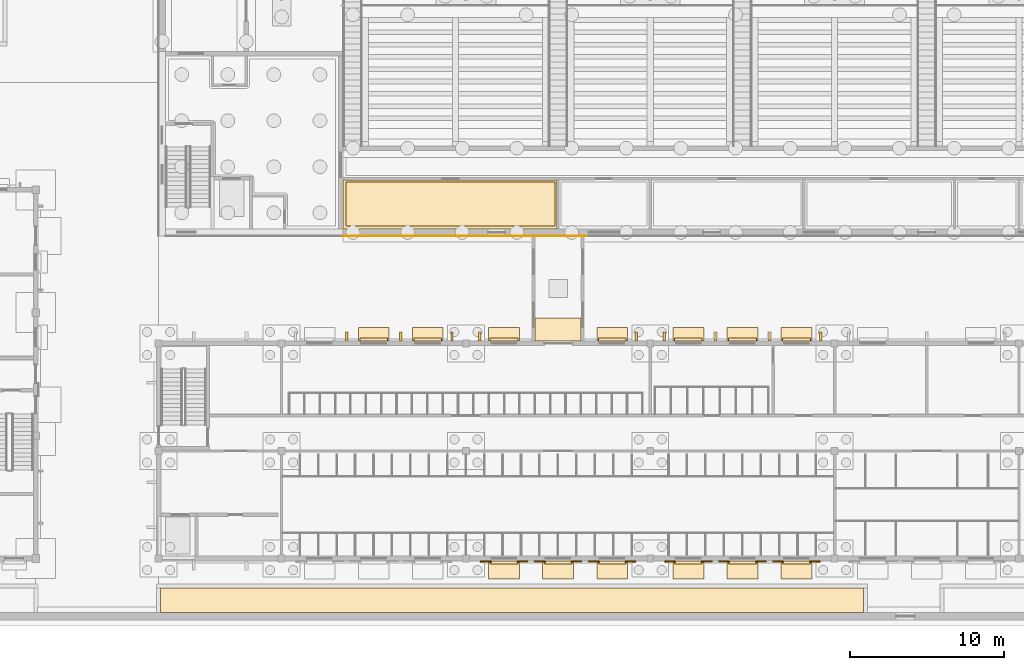
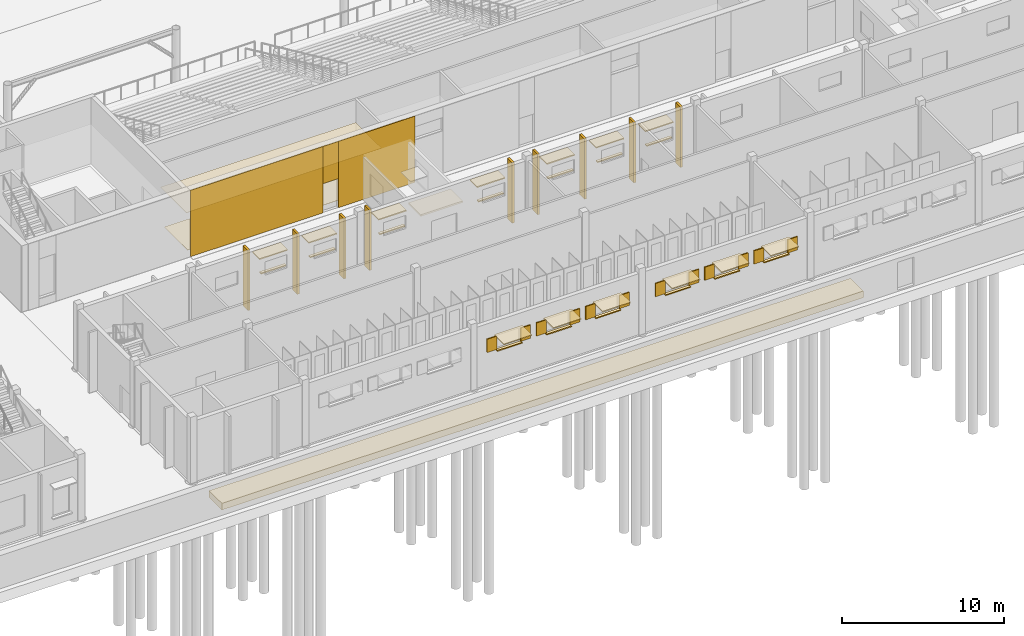
# One storey, part 129 of 157: 33 coverings, 21 shading devices.
"""IFC4 building model written with IfcOpenShell, lengths in metres."""

from ifc_helpers import new_model, si_unit, direction, frame, origin, place, context, subcontext, project, spatial, polyline, outline, extrude, material, layer, layer_set, type_object, element, save


model = new_model("IFC4")

# Units and contexts
model_context = context("Model", 3, precision=1e-05, world=origin(), true_north=direction((0.0, 1.0)))
body_context = subcontext(model_context, "Body", "Model", "MODEL_VIEW")
ifc_project = project(units=[si_unit("LENGTHUNIT", "METRE"), si_unit("AREAUNIT", "SQUARE_METRE"), si_unit("VOLUMEUNIT", "CUBIC_METRE"), si_unit("PLANEANGLEUNIT", "RADIAN"), si_unit("MASSUNIT", "GRAM", prefix="KILO")], contexts=[model_context])

# Site, building, storey
site_placement = place(None, origin())
site = spatial("IfcSite", under=ifc_project, at=site_placement, CompositionType="ELEMENT")
building_placement = place(site_placement, origin())
building = spatial("IfcBuilding", under=site, at=building_placement, Name="Windward Yard Aquatics Centre", CompositionType="ELEMENT")
storey_placement = place(building_placement, origin())
storey = spatial("IfcBuildingStorey", under=building, at=storey_placement, Name="L00", CompositionType="ELEMENT", Elevation=0.0)

# Covering
ifc_material_1 = material(Name="Aluminium standing seam canopy on steel brackets", Category="steel")
ifc_layer_1 = layer(ifc_material_1, 0.1201171875)
ifc_layer_set_1 = layer_set([ifc_layer_1], Name="C entrance canopy aluminium 3000x1500")
covering_type_1 = type_object("IfcCoveringType", Name="C entrance canopy aluminium 3000x1500", PredefinedType="CLADDING", material=ifc_layer_set_1)
covering_1_placement = place(storey_placement, frame((0.0, 0.0, 2.800048828125)))
element("IfcCovering", 1, at=covering_1_placement, inside=storey, type_object=covering_type_1, Name="Entrance canopy C0003", PredefinedType="CLADDING", context=body_context, shape_type="SweptSolid", body=[
    extrude(outline(polyline([(76.5, 19.14990234375), (79.5, 19.14990234375), (79.5, 20.64990234375), (76.5, 20.64990234375), (76.5, 19.14990234375)])), origin(), (0.0, 0.0, 1.0), 0.119873046875),
])

# Shading devices
ifc_material_2 = material(Name="Aluminium louvre blades, powder coated", Category="aluminium")
ifc_layer_2 = layer(ifc_material_2, 0.080078125)
ifc_layer_set_2 = layer_set([ifc_layer_2], Name="C storm shutter louvred 700x1000")
shading_device_type_1 = type_object("IfcShadingDeviceType", Name="C storm shutter louvred 700x1000", PredefinedType="SHUTTER", material=ifc_layer_set_2)
shading_device_1_placement = place(storey_placement, frame((0.0, 0.0, 2.5)))
element("IfcShadingDevice", 2, at=shading_device_1_placement, inside=storey, type_object=shading_device_type_1, Name="Storm shutter CW0004L", PredefinedType="SHUTTER", context=body_context, shape_type="SweptSolid", body=[
    extrude(outline(polyline([(72.933349609375, 4.77001953125), (72.933349609375, 4.85009765625), (73.63330078125, 4.85009765625), (73.63330078125, 4.77001953125), (72.933349609375, 4.77001953125)])), origin(), (0.0, 0.0, 1.0), 1.0),
])
shading_device_2_placement = place(storey_placement, frame((0.0, 0.0, 2.5)))
element("IfcShadingDevice", 3, at=shading_device_2_placement, inside=storey, type_object=shading_device_type_1, Name="Storm shutter CW0004R", PredefinedType="SHUTTER", context=body_context, shape_type="SweptSolid", body=[
    extrude(outline(polyline([(75.333251953125, 4.77001953125), (75.333251953125, 4.85009765625), (76.033203125, 4.85009765625), (76.033203125, 4.77001953125), (75.333251953125, 4.77001953125)])), origin(), (0.0, 0.0, 1.0), 1.0),
])
shading_device_3_placement = place(storey_placement, frame((0.0, 0.0, 2.5)))
element("IfcShadingDevice", 4, at=shading_device_3_placement, inside=storey, type_object=shading_device_type_1, Name="Storm shutter CW0005L", PredefinedType="SHUTTER", context=body_context, shape_type="SweptSolid", body=[
    extrude(outline(polyline([(76.449951171875, 4.77001953125), (76.449951171875, 4.85009765625), (77.14990234375, 4.85009765625), (77.14990234375, 4.77001953125), (76.449951171875, 4.77001953125)])), origin(), (0.0, 0.0, 1.0), 1.0),
])
shading_device_4_placement = place(storey_placement, frame((0.0, 0.0, 2.5)))
element("IfcShadingDevice", 5, at=shading_device_4_placement, inside=storey, type_object=shading_device_type_1, Name="Storm shutter CW0005R", PredefinedType="SHUTTER", context=body_context, shape_type="SweptSolid", body=[
    extrude(outline(polyline([(78.85009765625, 4.77001953125), (78.85009765625, 4.85009765625), (79.550048828125, 4.85009765625), (79.550048828125, 4.77001953125), (78.85009765625, 4.77001953125)])), origin(), (0.0, 0.0, 1.0), 1.0),
])
shading_device_5_placement = place(storey_placement, frame((0.0, 0.0, 2.5)))
element("IfcShadingDevice", 6, at=shading_device_5_placement, inside=storey, type_object=shading_device_type_1, Name="Storm shutter CW0006L", PredefinedType="SHUTTER", context=body_context, shape_type="SweptSolid", body=[
    extrude(outline(polyline([(79.966796875, 4.77001953125), (79.966796875, 4.85009765625), (80.666748046875, 4.85009765625), (80.666748046875, 4.77001953125), (79.966796875, 4.77001953125)])), origin(), (0.0, 0.0, 1.0), 1.0),
])
shading_device_6_placement = place(storey_placement, frame((0.0, 0.0, 2.5)))
element("IfcShadingDevice", 7, at=shading_device_6_placement, inside=storey, type_object=shading_device_type_1, Name="Storm shutter CW0006R", PredefinedType="SHUTTER", context=body_context, shape_type="SweptSolid", body=[
    extrude(outline(polyline([(82.36669921875, 4.77001953125), (82.36669921875, 4.85009765625), (83.066650390625, 4.85009765625), (83.066650390625, 4.77001953125), (82.36669921875, 4.77001953125)])), origin(), (0.0, 0.0, 1.0), 1.0),
])
shading_device_7_placement = place(storey_placement, frame((0.0, 0.0, 2.5)))
element("IfcShadingDevice", 8, at=shading_device_7_placement, inside=storey, type_object=shading_device_type_1, Name="Storm shutter CW0007L", PredefinedType="SHUTTER", context=body_context, shape_type="SweptSolid", body=[
    extrude(outline(polyline([(84.933349609375, 4.77001953125), (84.933349609375, 4.85009765625), (85.63330078125, 4.85009765625), (85.63330078125, 4.77001953125), (84.933349609375, 4.77001953125)])), origin(), (0.0, 0.0, 1.0), 1.0),
])
shading_device_8_placement = place(storey_placement, frame((0.0, 0.0, 2.5)))
element("IfcShadingDevice", 9, at=shading_device_8_placement, inside=storey, type_object=shading_device_type_1, Name="Storm shutter CW0007R", PredefinedType="SHUTTER", context=body_context, shape_type="SweptSolid", body=[
    extrude(outline(polyline([(87.333251953125, 4.77001953125), (87.333251953125, 4.85009765625), (88.033203125, 4.85009765625), (88.033203125, 4.77001953125), (87.333251953125, 4.77001953125)])), origin(), (0.0, 0.0, 1.0), 1.0),
])
shading_device_9_placement = place(storey_placement, frame((0.0, 0.0, 2.5)))
element("IfcShadingDevice", 10, at=shading_device_9_placement, inside=storey, type_object=shading_device_type_1, Name="Storm shutter CW0008L", PredefinedType="SHUTTER", context=body_context, shape_type="SweptSolid", body=[
    extrude(outline(polyline([(88.449951171875, 4.77001953125), (88.449951171875, 4.85009765625), (89.14990234375, 4.85009765625), (89.14990234375, 4.77001953125), (88.449951171875, 4.77001953125)])), origin(), (0.0, 0.0, 1.0), 1.0),
])
shading_device_10_placement = place(storey_placement, frame((0.0, 0.0, 2.5)))
element("IfcShadingDevice", 11, at=shading_device_10_placement, inside=storey, type_object=shading_device_type_1, Name="Storm shutter CW0008R", PredefinedType="SHUTTER", context=body_context, shape_type="SweptSolid", body=[
    extrude(outline(polyline([(90.85009765625, 4.77001953125), (90.85009765625, 4.85009765625), (91.550048828125, 4.85009765625), (91.550048828125, 4.77001953125), (90.85009765625, 4.77001953125)])), origin(), (0.0, 0.0, 1.0), 1.0),
])
shading_device_11_placement = place(storey_placement, frame((0.0, 0.0, 2.5)))
element("IfcShadingDevice", 12, at=shading_device_11_placement, inside=storey, type_object=shading_device_type_1, Name="Storm shutter CW0009L", PredefinedType="SHUTTER", context=body_context, shape_type="SweptSolid", body=[
    extrude(outline(polyline([(91.966796875, 4.77001953125), (91.966796875, 4.85009765625), (92.666748046875, 4.85009765625), (92.666748046875, 4.77001953125), (91.966796875, 4.77001953125)])), origin(), (0.0, 0.0, 1.0), 1.0),
])
shading_device_12_placement = place(storey_placement, frame((0.0, 0.0, 2.5)))
element("IfcShadingDevice", 13, at=shading_device_12_placement, inside=storey, type_object=shading_device_type_1, Name="Storm shutter CW0009R", PredefinedType="SHUTTER", context=body_context, shape_type="SweptSolid", body=[
    extrude(outline(polyline([(94.36669921875, 4.77001953125), (94.36669921875, 4.85009765625), (95.066650390625, 4.85009765625), (95.066650390625, 4.77001953125), (94.36669921875, 4.77001953125)])), origin(), (0.0, 0.0, 1.0), 1.0),
])
ifc_material_3 = material(Name="Aluminium fin, powder coated", Category="aluminium")
shading_device_type_2 = type_object("IfcShadingDeviceType", Name="C vertical fin 150x600", PredefinedType="USERDEFINED", material=ifc_material_3)
shading_device_13_placement = place(storey_placement, origin())
element("IfcShadingDevice", 14, at=shading_device_13_placement, inside=storey, type_object=shading_device_type_2, Name="Vertical fin C.W.L00.N2.2.1", ObjectType="FIN", PredefinedType="USERDEFINED", context=body_context, shape_type="SweptSolid", body=[
    extrude(outline(polyline([(64.166748046875, 19.14990234375), (64.316650390625, 19.14990234375), (64.316650390625, 19.75), (64.166748046875, 19.75), (64.166748046875, 19.14990234375)])), origin(), (0.0, 0.0, 1.0), 4.550048828125),
])
shading_device_14_placement = place(storey_placement, origin())
element("IfcShadingDevice", 15, at=shading_device_14_placement, inside=storey, type_object=shading_device_type_2, Name="Vertical fin C.W.L00.N2.3.1", ObjectType="FIN", PredefinedType="USERDEFINED", context=body_context, shape_type="SweptSolid", body=[
    extrude(outline(polyline([(67.683349609375, 19.14990234375), (67.833251953125, 19.14990234375), (67.833251953125, 19.75), (67.683349609375, 19.75), (67.683349609375, 19.14990234375)])), origin(), (0.0, 0.0, 1.0), 4.550048828125),
])
shading_device_15_placement = place(storey_placement, origin())
element("IfcShadingDevice", 16, at=shading_device_15_placement, inside=storey, type_object=shading_device_type_2, Name="Vertical fin C.W.L00.N2.4.1", ObjectType="FIN", PredefinedType="USERDEFINED", context=body_context, shape_type="SweptSolid", body=[
    extrude(outline(polyline([(71.020751953125, 19.14990234375), (71.1708984375, 19.14990234375), (71.1708984375, 19.75), (71.020751953125, 19.75), (71.020751953125, 19.14990234375)])), origin(), (0.0, 0.0, 1.0), 4.550048828125),
])
shading_device_16_placement = place(storey_placement, origin())
element("IfcShadingDevice", 17, at=shading_device_16_placement, inside=storey, type_object=shading_device_type_2, Name="Vertical fin C.W.L00.N3.1.1", ObjectType="FIN", PredefinedType="USERDEFINED", context=body_context, shape_type="SweptSolid", body=[
    extrude(outline(polyline([(72.8291015625, 19.14990234375), (72.97900390625, 19.14990234375), (72.97900390625, 19.75), (72.8291015625, 19.75), (72.8291015625, 19.14990234375)])), origin(), (0.0, 0.0, 1.0), 4.550048828125),
])
shading_device_17_placement = place(storey_placement, origin())
element("IfcShadingDevice", 18, at=shading_device_17_placement, inside=storey, type_object=shading_device_type_2, Name="Vertical fin C.W.L00.N3.2.1", ObjectType="FIN", PredefinedType="USERDEFINED", context=body_context, shape_type="SweptSolid", body=[
    extrude(outline(polyline([(83.020751953125, 19.14990234375), (83.1708984375, 19.14990234375), (83.1708984375, 19.75), (83.020751953125, 19.75), (83.020751953125, 19.14990234375)])), origin(), (0.0, 0.0, 1.0), 4.550048828125),
])
shading_device_18_placement = place(storey_placement, origin())
element("IfcShadingDevice", 19, at=shading_device_18_placement, inside=storey, type_object=shading_device_type_2, Name="Vertical fin C.W.L00.N4.1.1", ObjectType="FIN", PredefinedType="USERDEFINED", context=body_context, shape_type="SweptSolid", body=[
    extrude(outline(polyline([(84.8291015625, 19.14990234375), (84.97900390625, 19.14990234375), (84.97900390625, 19.75), (84.8291015625, 19.75), (84.8291015625, 19.14990234375)])), origin(), (0.0, 0.0, 1.0), 4.550048828125),
])
shading_device_19_placement = place(storey_placement, origin())
element("IfcShadingDevice", 20, at=shading_device_19_placement, inside=storey, type_object=shading_device_type_2, Name="Vertical fin C.W.L00.N4.2.1", ObjectType="FIN", PredefinedType="USERDEFINED", context=body_context, shape_type="SweptSolid", body=[
    extrude(outline(polyline([(88.16650390625, 19.14990234375), (88.316650390625, 19.14990234375), (88.316650390625, 19.75), (88.16650390625, 19.75), (88.16650390625, 19.14990234375)])), origin(), (0.0, 0.0, 1.0), 4.550048828125),
])
shading_device_20_placement = place(storey_placement, origin())
element("IfcShadingDevice", 21, at=shading_device_20_placement, inside=storey, type_object=shading_device_type_2, Name="Vertical fin C.W.L00.N4.3.1", ObjectType="FIN", PredefinedType="USERDEFINED", context=body_context, shape_type="SweptSolid", body=[
    extrude(outline(polyline([(91.683349609375, 19.14990234375), (91.833251953125, 19.14990234375), (91.833251953125, 19.75), (91.683349609375, 19.75), (91.683349609375, 19.14990234375)])), origin(), (0.0, 0.0, 1.0), 4.550048828125),
])
shading_device_21_placement = place(storey_placement, origin())
element("IfcShadingDevice", 22, at=shading_device_21_placement, inside=storey, type_object=shading_device_type_2, Name="Vertical fin C.W.L00.N4.4.1", ObjectType="FIN", PredefinedType="USERDEFINED", context=body_context, shape_type="SweptSolid", body=[
    extrude(outline(polyline([(95.020751953125, 19.14990234375), (95.1708984375, 19.14990234375), (95.1708984375, 19.75), (95.020751953125, 19.75), (95.020751953125, 19.14990234375)])), origin(), (0.0, 0.0, 1.0), 4.550048828125),
])

# Coverings
ifc_material_4 = material(Name="Aluminium composite hood, powder coated", Category="aluminium")
ifc_layer_3 = layer(ifc_material_4, 0.080078125)
ifc_layer_set_3 = layer_set([ifc_layer_3], Name="C window hood aluminium 2000x1200")
covering_type_2 = type_object("IfcCoveringType", Name="C window hood aluminium 2000x1200", PredefinedType="CLADDING", material=ifc_layer_set_3)
covering_2_placement = place(storey_placement, frame((0.0, 0.0, 3.550048828125)))
element("IfcCovering", 23, at=covering_2_placement, inside=storey, type_object=covering_type_2, Name="Window hood CW0004", PredefinedType="CLADDING", context=body_context, shape_type="SweptSolid", body=[
    extrude(outline(polyline([(73.4833984375, 3.64990234375), (73.4833984375, 4.85009765625), (75.4833984375, 4.85009765625), (75.4833984375, 3.64990234375), (73.4833984375, 3.64990234375)])), origin(), (0.0, 0.0, 1.0), 0.079833984375),
])
covering_3_placement = place(storey_placement, frame((0.0, 0.0, 3.550048828125)))
element("IfcCovering", 24, at=covering_3_placement, inside=storey, type_object=covering_type_2, Name="Window hood CW0005", PredefinedType="CLADDING", context=body_context, shape_type="SweptSolid", body=[
    extrude(outline(polyline([(77.0, 3.64990234375), (77.0, 4.85009765625), (79.0, 4.85009765625), (79.0, 3.64990234375), (77.0, 3.64990234375)])), origin(), (0.0, 0.0, 1.0), 0.079833984375),
])
covering_4_placement = place(storey_placement, frame((0.0, 0.0, 3.550048828125)))
element("IfcCovering", 25, at=covering_4_placement, inside=storey, type_object=covering_type_2, Name="Window hood CW0006", PredefinedType="CLADDING", context=body_context, shape_type="SweptSolid", body=[
    extrude(outline(polyline([(80.5166015625, 3.64990234375), (80.5166015625, 4.85009765625), (82.5166015625, 4.85009765625), (82.5166015625, 3.64990234375), (80.5166015625, 3.64990234375)])), origin(), (0.0, 0.0, 1.0), 0.079833984375),
])
covering_5_placement = place(storey_placement, frame((0.0, 0.0, 3.550048828125)))
element("IfcCovering", 26, at=covering_5_placement, inside=storey, type_object=covering_type_2, Name="Window hood CW0007", PredefinedType="CLADDING", context=body_context, shape_type="SweptSolid", body=[
    extrude(outline(polyline([(85.4833984375, 3.64990234375), (85.4833984375, 4.85009765625), (87.4833984375, 4.85009765625), (87.4833984375, 3.64990234375), (85.4833984375, 3.64990234375)])), origin(), (0.0, 0.0, 1.0), 0.079833984375),
])
covering_6_placement = place(storey_placement, frame((0.0, 0.0, 3.550048828125)))
element("IfcCovering", 27, at=covering_6_placement, inside=storey, type_object=covering_type_2, Name="Window hood CW0008", PredefinedType="CLADDING", context=body_context, shape_type="SweptSolid", body=[
    extrude(outline(polyline([(89.0, 3.64990234375), (89.0, 4.85009765625), (91.0, 4.85009765625), (91.0, 3.64990234375), (89.0, 3.64990234375)])), origin(), (0.0, 0.0, 1.0), 0.079833984375),
])
covering_7_placement = place(storey_placement, frame((0.0, 0.0, 3.550048828125)))
element("IfcCovering", 28, at=covering_7_placement, inside=storey, type_object=covering_type_2, Name="Window hood CW0009", PredefinedType="CLADDING", context=body_context, shape_type="SweptSolid", body=[
    extrude(outline(polyline([(92.5166015625, 3.64990234375), (92.5166015625, 4.85009765625), (94.5166015625, 4.85009765625), (94.5166015625, 3.64990234375), (92.5166015625, 3.64990234375)])), origin(), (0.0, 0.0, 1.0), 0.079833984375),
])
ifc_layer_4 = layer(ifc_material_4, 0.080078125)
ifc_layer_set_4 = layer_set([ifc_layer_4], Name="C window hood aluminium 2000x900")
covering_type_3 = type_object("IfcCoveringType", Name="C window hood aluminium 2000x900", PredefinedType="CLADDING", material=ifc_layer_set_4)
covering_8_placement = place(storey_placement, frame((0.0, 0.0, 3.550048828125)))
element("IfcCovering", 29, at=covering_8_placement, inside=storey, type_object=covering_type_3, Name="Window hood CW0022", PredefinedType="CLADDING", context=body_context, shape_type="SweptSolid", body=[
    extrude(outline(polyline([(65.0, 19.14990234375), (67.0, 19.14990234375), (67.0, 20.050048828125), (65.0, 20.050048828125), (65.0, 19.14990234375)])), origin(), (0.0, 0.0, 1.0), 0.079833984375),
])
covering_9_placement = place(storey_placement, frame((0.0, 0.0, 3.550048828125)))
element("IfcCovering", 30, at=covering_9_placement, inside=storey, type_object=covering_type_3, Name="Window hood CW0023", PredefinedType="CLADDING", context=body_context, shape_type="SweptSolid", body=[
    extrude(outline(polyline([(68.5166015625, 19.14990234375), (70.5166015625, 19.14990234375), (70.5166015625, 20.050048828125), (68.5166015625, 20.050048828125), (68.5166015625, 19.14990234375)])), origin(), (0.0, 0.0, 1.0), 0.079833984375),
])
covering_10_placement = place(storey_placement, frame((0.0, 0.0, 3.550048828125)))
element("IfcCovering", 31, at=covering_10_placement, inside=storey, type_object=covering_type_3, Name="Window hood CW0024", PredefinedType="CLADDING", context=body_context, shape_type="SweptSolid", body=[
    extrude(outline(polyline([(73.4833984375, 19.14990234375), (75.4833984375, 19.14990234375), (75.4833984375, 20.050048828125), (73.4833984375, 20.050048828125), (73.4833984375, 19.14990234375)])), origin(), (0.0, 0.0, 1.0), 0.079833984375),
])
covering_11_placement = place(storey_placement, frame((0.0, 0.0, 3.550048828125)))
element("IfcCovering", 32, at=covering_11_placement, inside=storey, type_object=covering_type_3, Name="Window hood CW0025", PredefinedType="CLADDING", context=body_context, shape_type="SweptSolid", body=[
    extrude(outline(polyline([(80.5166015625, 19.14990234375), (82.5166015625, 19.14990234375), (82.5166015625, 20.050048828125), (80.5166015625, 20.050048828125), (80.5166015625, 19.14990234375)])), origin(), (0.0, 0.0, 1.0), 0.079833984375),
])
covering_12_placement = place(storey_placement, frame((0.0, 0.0, 3.550048828125)))
element("IfcCovering", 33, at=covering_12_placement, inside=storey, type_object=covering_type_3, Name="Window hood CW0026", PredefinedType="CLADDING", context=body_context, shape_type="SweptSolid", body=[
    extrude(outline(polyline([(85.4833984375, 19.14990234375), (87.4833984375, 19.14990234375), (87.4833984375, 20.050048828125), (85.4833984375, 20.050048828125), (85.4833984375, 19.14990234375)])), origin(), (0.0, 0.0, 1.0), 0.079833984375),
])
covering_13_placement = place(storey_placement, frame((0.0, 0.0, 3.550048828125)))
element("IfcCovering", 34, at=covering_13_placement, inside=storey, type_object=covering_type_3, Name="Window hood CW0027", PredefinedType="CLADDING", context=body_context, shape_type="SweptSolid", body=[
    extrude(outline(polyline([(89.0, 19.14990234375), (91.0, 19.14990234375), (91.0, 20.050048828125), (89.0, 20.050048828125), (89.0, 19.14990234375)])), origin(), (0.0, 0.0, 1.0), 0.079833984375),
])
covering_14_placement = place(storey_placement, frame((0.0, 0.0, 3.550048828125)))
element("IfcCovering", 35, at=covering_14_placement, inside=storey, type_object=covering_type_3, Name="Window hood CW0028", PredefinedType="CLADDING", context=body_context, shape_type="SweptSolid", body=[
    extrude(outline(polyline([(92.5166015625, 19.14990234375), (94.5166015625, 19.14990234375), (94.5166015625, 20.050048828125), (92.5166015625, 20.050048828125), (92.5166015625, 19.14990234375)])), origin(), (0.0, 0.0, 1.0), 0.079833984375),
])
ifc_material_5 = material(Name="Limestone sill", Category="masonry")
ifc_layer_5 = layer(ifc_material_5, 0.080078125)
ifc_layer_set_5 = layer_set([ifc_layer_5], Name="C window sill stone 1800x200")
covering_type_4 = type_object("IfcCoveringType", Name="C window sill stone 1800x200", PredefinedType="CLADDING", material=ifc_layer_set_5)
covering_15_placement = place(storey_placement, frame((0.0, 0.0, 2.419921875)))
element("IfcCovering", 36, at=covering_15_placement, inside=storey, type_object=covering_type_4, Name="Window sill CW0022", PredefinedType="CLADDING", context=body_context, shape_type="SweptSolid", body=[
    extrude(outline(polyline([(65.10009765625, 19.14990234375), (66.89990234375, 19.14990234375), (66.89990234375, 19.35009765625), (65.10009765625, 19.35009765625), (65.10009765625, 19.14990234375)])), origin(), (0.0, 0.0, 1.0), 0.080078125),
])
covering_16_placement = place(storey_placement, frame((0.0, 0.0, 2.419921875)))
element("IfcCovering", 37, at=covering_16_placement, inside=storey, type_object=covering_type_4, Name="Window sill CW0023", PredefinedType="CLADDING", context=body_context, shape_type="SweptSolid", body=[
    extrude(outline(polyline([(68.61669921875, 19.14990234375), (70.416748046875, 19.14990234375), (70.416748046875, 19.35009765625), (68.61669921875, 19.35009765625), (68.61669921875, 19.14990234375)])), origin(), (0.0, 0.0, 1.0), 0.080078125),
])
covering_17_placement = place(storey_placement, frame((0.0, 0.0, 2.419921875)))
element("IfcCovering", 38, at=covering_17_placement, inside=storey, type_object=covering_type_4, Name="Window sill CW0024", PredefinedType="CLADDING", context=body_context, shape_type="SweptSolid", body=[
    extrude(outline(polyline([(73.583251953125, 19.14990234375), (75.38330078125, 19.14990234375), (75.38330078125, 19.35009765625), (73.583251953125, 19.35009765625), (73.583251953125, 19.14990234375)])), origin(), (0.0, 0.0, 1.0), 0.080078125),
])
covering_18_placement = place(storey_placement, frame((0.0, 0.0, 2.419921875)))
element("IfcCovering", 39, at=covering_18_placement, inside=storey, type_object=covering_type_4, Name="Window sill CW0025", PredefinedType="CLADDING", context=body_context, shape_type="SweptSolid", body=[
    extrude(outline(polyline([(80.61669921875, 19.14990234375), (82.416748046875, 19.14990234375), (82.416748046875, 19.35009765625), (80.61669921875, 19.35009765625), (80.61669921875, 19.14990234375)])), origin(), (0.0, 0.0, 1.0), 0.080078125),
])
covering_19_placement = place(storey_placement, frame((0.0, 0.0, 2.419921875)))
element("IfcCovering", 40, at=covering_19_placement, inside=storey, type_object=covering_type_4, Name="Window sill CW0026", PredefinedType="CLADDING", context=body_context, shape_type="SweptSolid", body=[
    extrude(outline(polyline([(85.583251953125, 19.14990234375), (87.38330078125, 19.14990234375), (87.38330078125, 19.35009765625), (85.583251953125, 19.35009765625), (85.583251953125, 19.14990234375)])), origin(), (0.0, 0.0, 1.0), 0.080078125),
])
covering_20_placement = place(storey_placement, frame((0.0, 0.0, 2.419921875)))
element("IfcCovering", 41, at=covering_20_placement, inside=storey, type_object=covering_type_4, Name="Window sill CW0027", PredefinedType="CLADDING", context=body_context, shape_type="SweptSolid", body=[
    extrude(outline(polyline([(89.10009765625, 19.14990234375), (90.89990234375, 19.14990234375), (90.89990234375, 19.35009765625), (89.10009765625, 19.35009765625), (89.10009765625, 19.14990234375)])), origin(), (0.0, 0.0, 1.0), 0.080078125),
])
covering_21_placement = place(storey_placement, frame((0.0, 0.0, 2.419921875)))
element("IfcCovering", 42, at=covering_21_placement, inside=storey, type_object=covering_type_4, Name="Window sill CW0028", PredefinedType="CLADDING", context=body_context, shape_type="SweptSolid", body=[
    extrude(outline(polyline([(92.61669921875, 19.14990234375), (94.416748046875, 19.14990234375), (94.416748046875, 19.35009765625), (92.61669921875, 19.35009765625), (92.61669921875, 19.14990234375)])), origin(), (0.0, 0.0, 1.0), 0.080078125),
])
covering_22_placement = place(storey_placement, frame((0.0, 0.0, 2.419921875)))
element("IfcCovering", 43, at=covering_22_placement, inside=storey, type_object=covering_type_4, Name="Window sill CW0004", PredefinedType="CLADDING", context=body_context, shape_type="SweptSolid", body=[
    extrude(outline(polyline([(73.583251953125, 4.64990234375), (73.583251953125, 4.85009765625), (75.38330078125, 4.85009765625), (75.38330078125, 4.64990234375), (73.583251953125, 4.64990234375)])), origin(), (0.0, 0.0, 1.0), 0.080078125),
])
covering_23_placement = place(storey_placement, frame((0.0, 0.0, 2.419921875)))
element("IfcCovering", 44, at=covering_23_placement, inside=storey, type_object=covering_type_4, Name="Window sill CW0005", PredefinedType="CLADDING", context=body_context, shape_type="SweptSolid", body=[
    extrude(outline(polyline([(77.10009765625, 4.64990234375), (77.10009765625, 4.85009765625), (78.89990234375, 4.85009765625), (78.89990234375, 4.64990234375), (77.10009765625, 4.64990234375)])), origin(), (0.0, 0.0, 1.0), 0.080078125),
])
covering_24_placement = place(storey_placement, frame((0.0, 0.0, 2.419921875)))
element("IfcCovering", 45, at=covering_24_placement, inside=storey, type_object=covering_type_4, Name="Window sill CW0006", PredefinedType="CLADDING", context=body_context, shape_type="SweptSolid", body=[
    extrude(outline(polyline([(80.61669921875, 4.64990234375), (80.61669921875, 4.85009765625), (82.416748046875, 4.85009765625), (82.416748046875, 4.64990234375), (80.61669921875, 4.64990234375)])), origin(), (0.0, 0.0, 1.0), 0.080078125),
])
covering_25_placement = place(storey_placement, frame((0.0, 0.0, 2.419921875)))
element("IfcCovering", 46, at=covering_25_placement, inside=storey, type_object=covering_type_4, Name="Window sill CW0007", PredefinedType="CLADDING", context=body_context, shape_type="SweptSolid", body=[
    extrude(outline(polyline([(85.583251953125, 4.64990234375), (85.583251953125, 4.85009765625), (87.38330078125, 4.85009765625), (87.38330078125, 4.64990234375), (85.583251953125, 4.64990234375)])), origin(), (0.0, 0.0, 1.0), 0.080078125),
])
covering_26_placement = place(storey_placement, frame((0.0, 0.0, 2.419921875)))
element("IfcCovering", 47, at=covering_26_placement, inside=storey, type_object=covering_type_4, Name="Window sill CW0008", PredefinedType="CLADDING", context=body_context, shape_type="SweptSolid", body=[
    extrude(outline(polyline([(89.10009765625, 4.64990234375), (89.10009765625, 4.85009765625), (90.89990234375, 4.85009765625), (90.89990234375, 4.64990234375), (89.10009765625, 4.64990234375)])), origin(), (0.0, 0.0, 1.0), 0.080078125),
])
covering_27_placement = place(storey_placement, frame((0.0, 0.0, 2.419921875)))
element("IfcCovering", 48, at=covering_27_placement, inside=storey, type_object=covering_type_4, Name="Window sill CW0009", PredefinedType="CLADDING", context=body_context, shape_type="SweptSolid", body=[
    extrude(outline(polyline([(92.61669921875, 4.64990234375), (92.61669921875, 4.85009765625), (94.416748046875, 4.85009765625), (94.416748046875, 4.64990234375), (92.61669921875, 4.64990234375)])), origin(), (0.0, 0.0, 1.0), 0.080078125),
])
ifc_material_6 = material(Name="Ceramic tile")
ifc_layer_6 = layer(ifc_material_6, 0.02001953125)
ifc_layer_set_6 = layer_set([ifc_layer_6], Name="H Floor Finish Tile 20")
covering_type_5 = type_object("IfcCoveringType", Name="H Floor Finish Tile 20", PredefinedType="FLOORING", material=ifc_layer_set_6)
covering_28_placement = place(storey_placement, origin())
element("IfcCovering", 49, at=covering_28_placement, inside=storey, type_object=covering_type_5, Name="Team Changing Room floor finish", PredefinedType="FLOORING", context=body_context, shape_type="SweptSolid", body=[
    extrude(outline(polyline([(64.199951171875, 26.64990234375), (64.199951171875, 29.52001953125), (77.800048828125, 29.52001953125), (77.800048828125, 26.64990234375), (64.199951171875, 26.64990234375)])), origin(), (0.0, 0.0, 1.0), 0.02001953125),
])
ifc_material_7 = material(Name="Aluminium plank", Category="aluminium")
ifc_layer_7 = layer(ifc_material_7, 0.02001953125)
ifc_layer_set_7 = layer_set([ifc_layer_7], Name="H Moisture Resistant Ceiling")
covering_type_6 = type_object("IfcCoveringType", Name="H Moisture Resistant Ceiling", PredefinedType="CEILING", material=ifc_layer_set_7)
covering_29_placement = place(storey_placement, frame((0.0, 0.0, 3.0)))
element("IfcCovering", 50, at=covering_29_placement, inside=storey, type_object=covering_type_6, Name="Team Changing Room ceiling", PredefinedType="CEILING", context=body_context, shape_type="SweptSolid", body=[
    extrude(outline(polyline([(64.00048828125, 26.450439453125), (64.00048828125, 29.64453125), (77.924560546875, 29.64453125), (77.924560546875, 26.450439453125), (64.00048828125, 26.450439453125)])), origin(), (0.0, 0.0, 1.0), 0.02001953125),
])
ifc_material_8 = material(Name="Natural limestone cladding", Category="masonry")
ifc_layer_8 = layer(ifc_material_8, 0.0400390625)
ifc_layer_set_8 = layer_set([ifc_layer_8], Name="H natural stone cladding 40")
covering_type_7 = type_object("IfcCoveringType", Name="H natural stone cladding 40", PredefinedType="CLADDING", material=ifc_layer_set_8)
covering_30_placement = place(storey_placement, origin())
element("IfcCovering", 51, at=covering_30_placement, inside=storey, type_object=covering_type_7, Name="Stone cladding panel 188", PredefinedType="CLADDING", context=body_context, shape_type="SweptSolid", body=[
    extrude(outline(polyline([(64.0, 25.9599609375), (64.0, 26.0), (73.449951171875, 26.0), (73.449951171875, 25.9599609375), (64.0, 25.9599609375)])), origin(), (0.0, 0.0, 1.0), 5.0),
])
covering_31_placement = place(storey_placement, frame((0.0, 0.0, 2.199951171875)))
element("IfcCovering", 52, at=covering_31_placement, inside=storey, type_object=covering_type_7, Name="Stone cladding panel 189", PredefinedType="CLADDING", context=body_context, shape_type="SweptSolid", body=[
    extrude(outline(polyline([(73.449951171875, 25.9599609375), (73.449951171875, 26.0), (74.550048828125, 26.0), (74.550048828125, 25.9599609375), (73.449951171875, 25.9599609375)])), origin(), (0.0, 0.0, 1.0), 2.800048828125),
])
covering_32_placement = place(storey_placement, origin())
element("IfcCovering", 53, at=covering_32_placement, inside=storey, type_object=covering_type_7, Name="Stone cladding panel 190", PredefinedType="CLADDING", context=body_context, shape_type="SweptSolid", body=[
    extrude(outline(polyline([(74.550048828125, 25.9599609375), (74.550048828125, 26.0), (80.0, 26.0), (80.0, 25.9599609375), (74.550048828125, 25.9599609375)])), origin(), (0.0, 0.0, 1.0), 5.0),
])
ifc_material_9 = material(Name="Planting soil")
ifc_layer_9 = layer(ifc_material_9, 0.448, Name="Planting")
ifc_material_10 = material(Name="Filter fabric")
ifc_layer_10 = layer(ifc_material_10, 0.002, Name="Filter")
ifc_material_11 = material(Name="Drainage board")
ifc_layer_11 = layer(ifc_material_11, 0.05, Name="Drainage")
ifc_layer_set_9 = layer_set([ifc_layer_9, ifc_layer_10, ifc_layer_11], Name="X Planting Bed Soil 400")
covering_type_8 = type_object("IfcCoveringType", Name="X Planting Bed Soil 400", PredefinedType="USERDEFINED", material=ifc_layer_set_9)
covering_33_placement = place(storey_placement, frame((0.0, 0.0, -0.10009765625)))
element("IfcCovering", 54, at=covering_33_placement, inside=storey, type_object=covering_type_8, Name="Rail side berm centre", ObjectType="PLANTING BED", PredefinedType="USERDEFINED", context=body_context, shape_type="SweptSolid", body=[
    extrude(outline(polyline([(52.125, 1.5), (97.875, 1.5), (97.875, 3.074951171875), (52.125, 3.074951171875), (52.125, 1.5)])), origin(), (0.0, 0.0, 1.0), 0.5),
])

save(model, "model.ifc")
